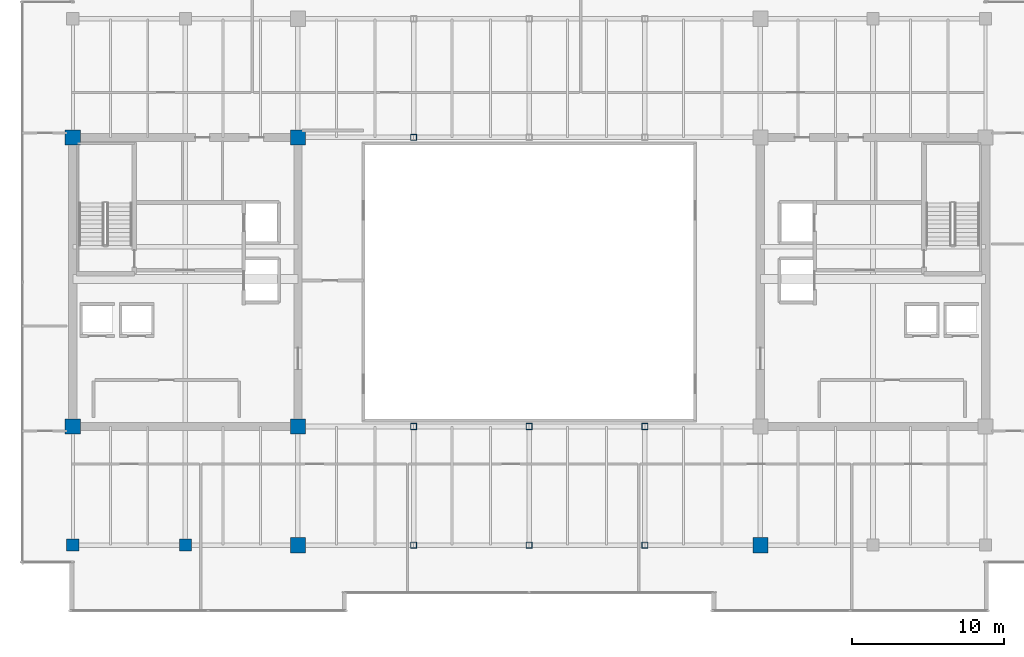
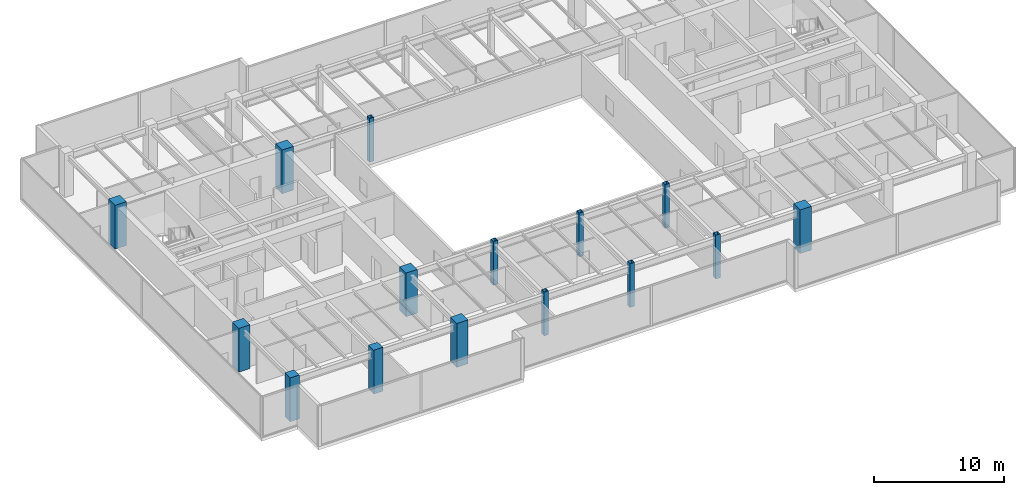
# One storey, part 1 of 33: 15 columns.
"""IFC4 building model written with IfcOpenShell, lengths in metres."""

from ifc_helpers import new_model, si_unit, direction, frame, origin, origin_2d, place, context, subcontext, project, spatial, rectangle, hollow_rectangle, extrude, source, transform, mapped, material, material_profile, profile_set, type_object, type_shapes, element, save


model = new_model("IFC4")

# Units and contexts
model_context = context("Model", 3, precision=1e-05, world=origin(), true_north=direction((0.0, 1.0)))
body_context = subcontext(model_context, "Body", "Model", "MODEL_VIEW")
ifc_project = project(units=[si_unit("LENGTHUNIT", "METRE"), si_unit("AREAUNIT", "SQUARE_METRE"), si_unit("VOLUMEUNIT", "CUBIC_METRE"), si_unit("PLANEANGLEUNIT", "RADIAN"), si_unit("MASSUNIT", "GRAM", prefix="KILO")], contexts=[model_context])

# Site, building, storey
site_placement = place(None, origin())
site = spatial("IfcSite", under=ifc_project, at=site_placement, CompositionType="ELEMENT")
building_placement = place(site_placement, origin())
building = spatial("IfcBuilding", under=site, at=building_placement, Name="Haelvirn Gate Laboratories", CompositionType="ELEMENT")
storey_placement = place(building_placement, frame((0.0, 0.0, 279.300048828125)))
storey = spatial("IfcBuildingStorey", under=building, at=storey_placement, Name="L67", CompositionType="ELEMENT", Elevation=279.300048828125)

# Columns
ifc_material_1 = material(Name="Concrete C60/75", Category="concrete")
ifc_material_profile_1 = material_profile(ifc_material_1, rectangle(XDim=1.0, YDim=1.0, at=origin_2d()), Name="RC-1000x1000")
ifc_profile_set_1 = profile_set([ifc_material_profile_1], Name="Concrete C60/75")
column_type_1 = type_object("IfcColumnType", Name="COL-RC-1000", PredefinedType="COLUMN", material=ifc_profile_set_1)
shared_shape_1 = source(origin(), body_context, "Body", "SweptSolid", [
    extrude(rectangle(XDim=1.0, YDim=1.0, at=origin_2d()), origin(), (0.0, 0.0, 1.0), 4.099853515625),
])
type_shapes(column_type_1, [shared_shape_1])
for number, where, z_axis, x_axis, name in (
    (1, (22.199951171875, 7.0, 0.0), (0.0, 0.0, 1.0), (1.0, 0.0, 0.0), "L67 Column 4B"),
    (2, (7.39990234375, 14.800048828125, 0.0), (0.0, 0.0, 1.0), (1.0, 0.0, 0.0), "L67 Column 2C"),
    (3, (22.199951171875, 14.800048828125, 0.0), (0.0, 0.0, 1.0), (1.0, 0.0, 0.0), "L67 Column 4C"),
    (4, (7.39990234375, 33.800048828125, 0.0), (0.0, 0.0, 1.0), (1.0, 0.0, 0.0), "L67 Column 2F"),
    (5, (22.199951171875, 33.800048828125, 0.0), (0.0, 0.0, 1.0), (1.0, 0.0, 0.0), "L67 Column 4F"),
    (6, (52.60009765625, 7.0, 0.0), (0.0, 0.0, 1.0), (1.0, 0.0, 0.0), "L67 Column 8B"),
):
    element("IfcColumn", number, at=place(storey_placement, frame(where, z_axis=z_axis, x_axis=x_axis)), inside=storey, type_object=column_type_1, Name=name, PredefinedType="COLUMN", context=body_context, shape_type="MappedRepresentation", body=[
        mapped(shared_shape_1, transform((0.0, 0.0, 0.0), scale=1.0)),
    ])
ifc_material_2 = material(Name="Concrete C50/60", Category="concrete")
ifc_material_profile_2 = material_profile(ifc_material_2, rectangle(XDim=0.800048828125, YDim=0.800048828125, at=origin_2d()), Name="RC-800x800")
ifc_profile_set_2 = profile_set([ifc_material_profile_2], Name="Concrete C50/60")
column_type_2 = type_object("IfcColumnType", Name="COL-RC-800", PredefinedType="COLUMN", material=ifc_profile_set_2)
shared_shape_2 = source(origin(), body_context, "Body", "SweptSolid", [
    extrude(rectangle(XDim=0.800048828125, YDim=0.800048828125, at=origin_2d()), origin(), (0.0, 0.0, 1.0), 4.099853515625),
])
type_shapes(column_type_2, [shared_shape_2])
for number, where, z_axis, x_axis, name in (
    (7, (14.800048828125, 7.0, 0.0), (0.0, 0.0, 1.0), (1.0, 0.0, 0.0), "L67 Column 3B"),
    (8, (7.39990234375, 7.0, 0.0), (0.0, 0.0, 1.0), (1.0, 0.0, 0.0), "L67 Column 2B"),
):
    element("IfcColumn", number, at=place(storey_placement, frame(where, z_axis=z_axis, x_axis=x_axis)), inside=storey, type_object=column_type_2, Name=name, PredefinedType="COLUMN", context=body_context, shape_type="MappedRepresentation", body=[
        mapped(shared_shape_2, transform((0.0, 0.0, 0.0), scale=1.0)),
    ])
ifc_material_3 = material(Name="Steel SM355", Category="steel")
ifc_material_profile_3 = material_profile(ifc_material_3, hollow_rectangle(XDim=0.39990234375, YDim=0.39990234375, WallThickness=0.01904296875, at=origin_2d()), Name="BOX-400x400x19")
ifc_profile_set_3 = profile_set([ifc_material_profile_3], Name="Steel SM355")
column_type_3 = type_object("IfcColumnType", Name="COL-BOX-400", PredefinedType="COLUMN", material=ifc_profile_set_3)
shared_shape_3 = source(origin(), body_context, "Body", "SweptSolid", [
    extrude(hollow_rectangle(XDim=0.39990234375, YDim=0.39990234375, WallThickness=0.01904296875, at=origin_2d()), origin(), (0.0, 0.0, 1.0), 4.099853515625),
])
type_shapes(column_type_3, [shared_shape_3])
for number, where, z_axis, x_axis, name in (
    (9, (29.800048828125, 7.0, 0.0), (0.0, 0.0, 1.0), (1.0, 0.0, 0.0), "L67 Column 5B"),
    (10, (29.800048828125, 14.800048828125, 0.0), (0.0, 0.0, 1.0), (1.0, 0.0, 0.0), "L67 Column 5C"),
    (11, (29.800048828125, 33.800048828125, 0.0), (0.0, 0.0, 1.0), (1.0, 0.0, 0.0), "L67 Column 5F"),
    (12, (37.39990234375, 7.0, 0.0), (0.0, 0.0, 1.0), (1.0, 0.0, 0.0), "L67 Column 6B"),
    (13, (37.39990234375, 14.800048828125, 0.0), (0.0, 0.0, 1.0), (1.0, 0.0, 0.0), "L67 Column 6C"),
    (14, (45.0, 7.0, 0.0), (0.0, 0.0, 1.0), (1.0, 0.0, 0.0), "L67 Column 7B"),
    (15, (45.0, 14.800048828125, 0.0), (0.0, 0.0, 1.0), (1.0, 0.0, 0.0), "L67 Column 7C"),
):
    element("IfcColumn", number, at=place(storey_placement, frame(where, z_axis=z_axis, x_axis=x_axis)), inside=storey, type_object=column_type_3, Name=name, PredefinedType="COLUMN", context=body_context, shape_type="MappedRepresentation", body=[
        mapped(shared_shape_3, transform((0.0, 0.0, 0.0), scale=1.0)),
    ])

save(model, "model.ifc")
